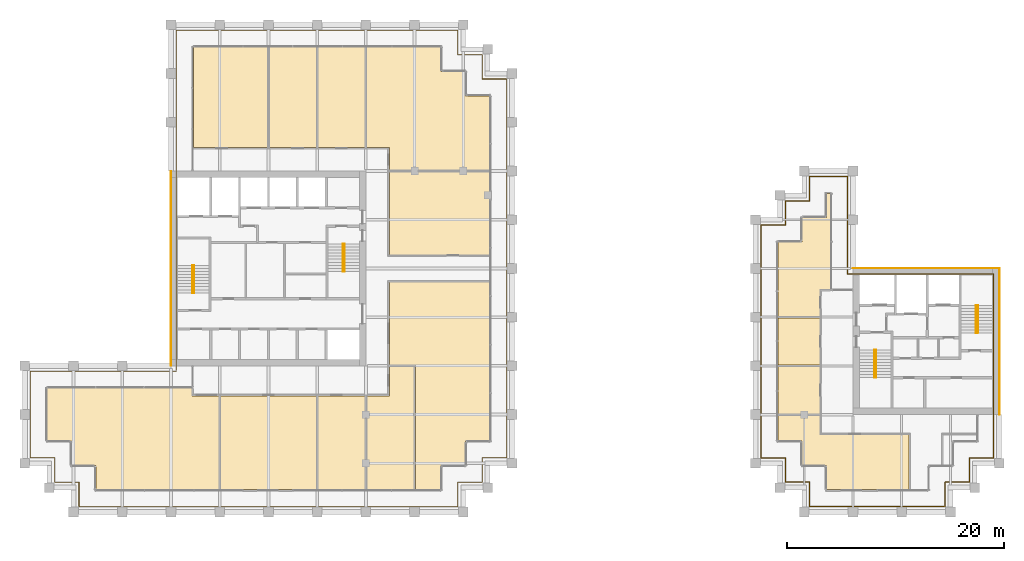
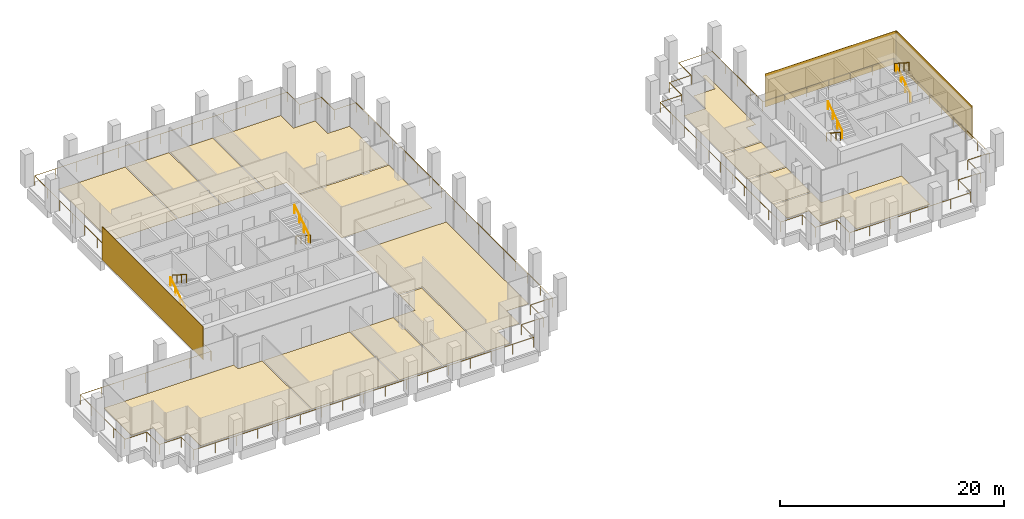
# One storey, part 40 of 40: 17 coverings, 10 railings.
"""IFC4 building model written with IfcOpenShell, lengths in metres."""

from ifc_helpers import new_model, si_unit, direction, frame, origin, origin_2d, place, context, subcontext, project, spatial, polyline, rectangle, circle, outline, extrude, source, transform, mapped, material, layer, layer_set, type_object, element, save


model = new_model("IFC4")

# Units and contexts
model_context = context("Model", 3, precision=1e-05, world=origin(), true_north=direction((0.0, 1.0)))
body_context = subcontext(model_context, "Body", "Model", "MODEL_VIEW")
ifc_project = project(units=[si_unit("LENGTHUNIT", "METRE"), si_unit("AREAUNIT", "SQUARE_METRE"), si_unit("VOLUMEUNIT", "CUBIC_METRE"), si_unit("PLANEANGLEUNIT", "RADIAN"), si_unit("MASSUNIT", "GRAM", prefix="KILO")], contexts=[model_context])

# Site, building, storey
site_placement = place(None, origin())
site = spatial("IfcSite", under=ifc_project, at=site_placement, CompositionType="ELEMENT")
building_placement = place(site_placement, origin())
building = spatial("IfcBuilding", under=site, at=building_placement, Name="Altepetl Exchange Towers", CompositionType="ELEMENT")
storey_placement = place(building_placement, frame((0.0, 0.0, 165.39990234375)))
storey = spatial("IfcBuildingStorey", under=building, at=storey_placement, Name="L41", CompositionType="ELEMENT", Elevation=165.39990234375)

# Coverings
ifc_material_1 = material(Name="Carpet tile")
ifc_layer_1 = layer(ifc_material_1, 0.02001953125)
ifc_layer_set_1 = layer_set([ifc_layer_1], Name="Carpet tile")
covering_type_1 = type_object("IfcCoveringType", Name="Carpet tile floor", PredefinedType="FLOORING", material=ifc_layer_set_1)
covering_1_placement = place(storey_placement, origin())
element("IfcCovering", 1, at=covering_1_placement, inside=storey, type_object=covering_type_1, Name="Meeting room floor finish A41.01", PredefinedType="FLOORING", context=body_context, shape_type="SweptSolid", body=[
    extrude(outline(polyline([(53.9375, 29.0625), (53.9375, 37.737548828125), (45.0625, 37.737548828125), (45.0625, 29.0625), (53.9375, 29.0625)])), origin(), (0.0, 0.0, 1.0), 0.02001953125),
])
covering_2_placement = place(storey_placement, origin())
element("IfcCovering", 2, at=covering_2_placement, inside=storey, type_object=covering_type_1, Name="Pantry floor finish A41.02", PredefinedType="FLOORING", context=body_context, shape_type="SweptSolid", body=[
    extrude(outline(polyline([(58.4375, 29.0625), (58.4375, 37.737548828125), (54.0625, 37.737548828125), (54.0625, 29.0625), (58.4375, 29.0625)])), origin(), (0.0, 0.0, 1.0), 0.02001953125),
])
covering_3_placement = place(storey_placement, origin())
element("IfcCovering", 3, at=covering_3_placement, inside=storey, type_object=covering_type_1, Name="Interview room floor finish A41.04", PredefinedType="FLOORING", context=body_context, shape_type="SweptSolid", body=[
    extrude(outline(polyline([(62.9375, 29.0625), (62.9375, 40.4375), (60.66259765625, 40.4375), (60.66259765625, 37.737548828125), (58.5625, 37.737548828125), (58.5625, 29.0625), (62.9375, 29.0625)])), origin(), (0.0, 0.0, 1.0), 0.02001953125),
])
covering_4_placement = place(storey_placement, origin())
element("IfcCovering", 4, at=covering_4_placement, inside=storey, type_object=covering_type_1, Name="Fund office floor finish A41.05", PredefinedType="FLOORING", context=body_context, shape_type="SweptSolid", body=[
    extrude(outline(polyline([(67.6875, 31.3125), (67.6875, 33.5625), (69.9375, 33.5625), (69.9375, 48.237548828125), (60.66259765625, 48.237548828125), (60.66259765625, 40.5625), (63.0625, 40.5625), (63.0625, 29.0625), (65.4375, 29.0625), (65.4375, 31.3125), (67.6875, 31.3125)])), origin(), (0.0, 0.0, 1.0), 0.02001953125),
])
covering_5_placement = place(storey_placement, origin())
element("IfcCovering", 5, at=covering_5_placement, inside=storey, type_object=covering_type_1, Name="Training room floor finish A41.06", PredefinedType="FLOORING", context=body_context, shape_type="SweptSolid", body=[
    extrude(outline(polyline([(69.9375, 58.4375), (60.66259765625, 58.4375), (60.66259765625, 50.762451171875), (69.9375, 50.762451171875), (69.9375, 58.4375)])), origin(), (0.0, 0.0, 1.0), 0.02001953125),
])
covering_6_placement = place(storey_placement, origin())
element("IfcCovering", 6, at=covering_6_placement, inside=storey, type_object=covering_type_1, Name="Open office floor finish A41.07", PredefinedType="FLOORING", context=body_context, shape_type="SweptSolid", body=[
    extrude(outline(polyline([(60.66259765625, 58.5625), (69.9375, 58.5625), (69.9375, 65.4375), (67.6875, 65.4375), (67.6875, 67.6875), (65.4375, 67.6875), (65.4375, 69.9375), (58.5625, 69.9375), (58.5625, 60.66259765625), (60.66259765625, 60.66259765625), (60.66259765625, 58.5625)])), origin(), (0.0, 0.0, 1.0), 0.02001953125),
])
covering_7_placement = place(storey_placement, origin())
element("IfcCovering", 7, at=covering_7_placement, inside=storey, type_object=covering_type_1, Name="Huddle room floor finish A41.08", PredefinedType="FLOORING", context=body_context, shape_type="SweptSolid", body=[
    extrude(outline(polyline([(49.4375, 60.66259765625), (49.4375, 69.9375), (42.5625, 69.9375), (42.5625, 60.66259765625), (49.4375, 60.66259765625)])), origin(), (0.0, 0.0, 1.0), 0.02001953125),
])
covering_8_placement = place(storey_placement, origin())
element("IfcCovering", 8, at=covering_8_placement, inside=storey, type_object=covering_type_1, Name="Conference room floor finish A41.09", PredefinedType="FLOORING", context=body_context, shape_type="SweptSolid", body=[
    extrude(outline(polyline([(53.9375, 60.66259765625), (53.9375, 69.9375), (49.5625, 69.9375), (49.5625, 60.66259765625), (53.9375, 60.66259765625)])), origin(), (0.0, 0.0, 1.0), 0.02001953125),
])
covering_9_placement = place(storey_placement, origin())
element("IfcCovering", 9, at=covering_9_placement, inside=storey, type_object=covering_type_1, Name="Meeting room floor finish A41.10", PredefinedType="FLOORING", context=body_context, shape_type="SweptSolid", body=[
    extrude(outline(polyline([(58.4375, 60.66259765625), (58.4375, 69.9375), (54.0625, 69.9375), (54.0625, 60.66259765625), (58.4375, 60.66259765625)])), origin(), (0.0, 0.0, 1.0), 0.02001953125),
])
covering_10_placement = place(storey_placement, origin())
element("IfcCovering", 10, at=covering_10_placement, inside=storey, type_object=covering_type_1, Name="Pantry floor finish B41.01", PredefinedType="FLOORING", context=body_context, shape_type="SweptSolid", body=[
    extrude(outline(polyline([(100.4375, 40.4375), (96.5625, 40.4375), (96.5625, 36.0625), (100.4375, 36.0625), (100.4375, 40.4375)])), origin(), (0.0, 0.0, 1.0), 0.02001953125),
])
covering_11_placement = place(storey_placement, origin())
element("IfcCovering", 11, at=covering_11_placement, inside=storey, type_object=covering_type_1, Name="Open office floor finish B41.02", PredefinedType="FLOORING", context=body_context, shape_type="SweptSolid", body=[
    extrude(outline(polyline([(108.6875, 29.0625), (108.6875, 34.137451171875), (100.4375, 34.137451171875), (100.4375, 35.9375), (96.5625, 35.9375), (96.5625, 33.5625), (98.8125, 33.5625), (98.8125, 31.3125), (101.0625, 31.3125), (101.0625, 29.0625), (108.6875, 29.0625)])), origin(), (0.0, 0.0, 1.0), 0.02001953125),
])
covering_12_placement = place(storey_placement, origin())
element("IfcCovering", 12, at=covering_12_placement, inside=storey, type_object=covering_type_1, Name="Meeting room floor finish B41.03", PredefinedType="FLOORING", context=body_context, shape_type="SweptSolid", body=[
    extrude(outline(polyline([(101.4375, 47.5625), (101.4375, 56.4375), (101.0625, 56.4375), (101.0625, 54.1875), (98.8125, 54.1875), (98.8125, 51.9375), (96.5625, 51.9375), (96.5625, 45.0625), (100.4375, 45.0625), (100.4375, 47.5625), (101.4375, 47.5625)])), origin(), (0.0, 0.0, 1.0), 0.02001953125),
])
covering_13_placement = place(storey_placement, origin())
element("IfcCovering", 13, at=covering_13_placement, inside=storey, type_object=covering_type_1, Name="Pantry floor finish B41.04", PredefinedType="FLOORING", context=body_context, shape_type="SweptSolid", body=[
    extrude(outline(polyline([(100.4375, 44.9375), (96.5625, 44.9375), (96.5625, 40.5625), (100.4375, 40.5625), (100.4375, 44.9375)])), origin(), (0.0, 0.0, 1.0), 0.02001953125),
])
ifc_material_2 = material(Name="Cantera stone", Category="masonry")
ifc_layer_2 = layer(ifc_material_2, 0.030029296875)
ifc_layer_set_2 = layer_set([ifc_layer_2], Name="Cantera stone")
covering_type_2 = type_object("IfcCoveringType", Name="Polished stone floor", PredefinedType="FLOORING", material=ifc_layer_set_2)
covering_14_placement = place(storey_placement, origin())
element("IfcCovering", 14, at=covering_14_placement, inside=storey, type_object=covering_type_2, Name="Auditorium floor finish A41.03", PredefinedType="FLOORING", context=body_context, shape_type="SweptSolid", body=[
    extrude(outline(polyline([(33.5625, 29.0625), (44.9375, 29.0625), (44.9375, 37.737548828125), (42.4375, 37.737548828125), (42.4375, 38.4375), (29.0625, 38.4375), (29.0625, 33.5625), (31.3125, 33.5625), (31.3125, 31.3125), (33.5625, 31.3125), (33.5625, 29.0625)])), origin(), (0.0, 0.0, 1.0), 0.030029296875),
])
ifc_material_3 = material(Name="Cantera limestone cladding", Category="masonry")
ifc_layer_3 = layer(ifc_material_3, 0.0400390625)
ifc_layer_set_3 = layer_set([ifc_layer_3], Name="Cantera limestone cladding")
covering_type_3 = type_object("IfcCoveringType", Name="Stone panel 40 cantera", PredefinedType="CLADDING", material=ifc_layer_set_3)
covering_15_placement = place(storey_placement, frame((40.47998046875, 49.5, 0.0), z_axis=(0.0, 0.0, 1.0), x_axis=(0.0, -1.0, 0.0)))
element("IfcCovering", 15, at=covering_15_placement, inside=storey, type_object=covering_type_3, Name="Stone cladding panel", PredefinedType="CLADDING", context=body_context, shape_type="SweptSolid", body=[
    extrude(rectangle(XDim=18.0, YDim=0.0400390625, at=origin_2d()), origin(), (0.0, 0.0, 1.0), 3.60009765625),
])
for number, where, z_axis, x_axis, name in (
    (16, (117.02001953125, 42.75, 0.0), (0.0, 0.0, 1.0), (0.0, 1.0, 0.0), "Stone cladding panel"),
    (17, (110.25, 49.52001953125, 0.0), (0.0, 0.0, 1.0), (-1.0, 0.0, 0.0), "Stone cladding panel"),
):
    element("IfcCovering", number, at=place(storey_placement, frame(where, z_axis=z_axis, x_axis=x_axis)), inside=storey, type_object=covering_type_3, Name=name, PredefinedType="CLADDING", context=body_context, shape_type="SweptSolid", body=[
        extrude(rectangle(XDim=13.5, YDim=0.0400390625, at=origin_2d()), origin(), (0.0, 0.0, 1.0), 3.60009765625),
    ])

# Railings
ifc_material_4 = material(Name="Steel S355", Category="steel")
railing_type_1 = type_object("IfcRailingType", Name="Guard 1100 steel posts and rail", PredefinedType="GUARDRAIL", material=ifc_material_4)
shared_shape_1 = source(origin(), body_context, "Body", "SweptSolid", [
    extrude(circle(Radius=0.02099609375, at=origin_2d()), origin(), (0.0, 0.0, 1.0), 1.052001953125),
])
railing_1_placement = place(storey_placement, frame((41.0, 40.0, 0.0)))
element("IfcRailing", 18, at=railing_1_placement, inside=storey, type_object=railing_type_1, Name="Loggia guard", PredefinedType="GUARDRAIL", context=body_context, shape_type="SweptSolid", body=[
    extrude(circle(Radius=0.02392578125, at=origin_2d()), frame((0.0, 0.0, 1.076171875), z_axis=(-1.0, 0.0, 0.0), x_axis=(0.0, -1.0, 0.0)), (0.0, 0.0, 1.0), 13.5),
    extrude(circle(Radius=0.02392578125, at=origin_2d()), frame((-13.5, 0.0, 1.076171875), z_axis=(0.0, -1.0, 0.0), x_axis=(1.0, 0.0, 0.0)), (0.0, 0.0, 1.0), 8.0),
    extrude(circle(Radius=0.02392578125, at=origin_2d()), frame((-13.5, -8.0, 1.076171875), z_axis=(1.0, 0.0, 0.0), x_axis=(0.0, 1.0, 0.0)), (0.0, 0.0, 1.0), 2.25),
    extrude(circle(Radius=0.02392578125, at=origin_2d()), frame((-11.25, -8.0, 1.076171875), z_axis=(0.0, -1.0, 0.0), x_axis=(1.0, 0.0, 0.0)), (0.0, 0.0, 1.0), 2.25),
    extrude(circle(Radius=0.02392578125, at=origin_2d()), frame((-11.25, -10.25, 1.076171875), z_axis=(1.0, 0.0, 0.0), x_axis=(0.0, 1.0, 0.0)), (0.0, 0.0, 1.0), 2.25),
    extrude(circle(Radius=0.02392578125, at=origin_2d()), frame((-9.0, -10.25, 1.076171875), z_axis=(0.0, -1.0, 0.0), x_axis=(1.0, 0.0, 0.0)), (0.0, 0.0, 1.0), 2.25),
    extrude(circle(Radius=0.02392578125, at=origin_2d()), frame((-9.0, -12.5, 1.076171875), z_axis=(1.0, 0.0, 0.0), x_axis=(0.0, 1.0, 0.0)), (0.0, 0.0, 1.0), 35.0),
    extrude(circle(Radius=0.02392578125, at=origin_2d()), frame((26.0, -12.5, 1.076171875), z_axis=(0.0, 1.0, 0.0), x_axis=(-1.0, 0.0, 0.0)), (0.0, 0.0, 1.0), 2.25),
    extrude(circle(Radius=0.02392578125, at=origin_2d()), frame((26.0, -10.25, 1.076171875), z_axis=(1.0, 0.0, 0.0), x_axis=(0.0, 1.0, 0.0)), (0.0, 0.0, 1.0), 2.25),
    extrude(circle(Radius=0.02392578125, at=origin_2d()), frame((28.25, -10.25, 1.076171875), z_axis=(0.0, 1.0, 0.0), x_axis=(-1.0, 0.0, 0.0)), (0.0, 0.0, 1.0), 2.25),
    extrude(circle(Radius=0.02392578125, at=origin_2d()), frame((28.25, -8.0, 1.076171875), z_axis=(1.0, 0.0, 0.0), x_axis=(0.0, 1.0, 0.0)), (0.0, 0.0, 1.0), 2.25),
    extrude(circle(Radius=0.02392578125, at=origin_2d()), frame((30.5, -8.0, 1.076171875), z_axis=(0.0, 1.0, 0.0), x_axis=(-1.0, 0.0, 0.0)), (0.0, 0.0, 1.0), 35.0),
    extrude(circle(Radius=0.02392578125, at=origin_2d()), frame((30.5, 27.0, 1.076171875), z_axis=(-1.0, 0.0, 0.0), x_axis=(0.0, -1.0, 0.0)), (0.0, 0.0, 1.0), 2.25),
    extrude(circle(Radius=0.02392578125, at=origin_2d()), frame((28.25, 27.0, 1.076171875), z_axis=(0.0, 1.0, 0.0), x_axis=(-1.0, 0.0, 0.0)), (0.0, 0.0, 1.0), 2.25),
    extrude(circle(Radius=0.02392578125, at=origin_2d()), frame((28.25, 29.25, 1.076171875), z_axis=(-1.0, 0.0, 0.0), x_axis=(0.0, -1.0, 0.0)), (0.0, 0.0, 1.0), 2.25),
    extrude(circle(Radius=0.02392578125, at=origin_2d()), frame((26.0, 29.25, 1.076171875), z_axis=(0.0, 1.0, 0.0), x_axis=(-1.0, 0.0, 0.0)), (0.0, 0.0, 1.0), 2.25),
    extrude(circle(Radius=0.02392578125, at=origin_2d()), frame((26.0, 31.5, 1.076171875), z_axis=(-1.0, 0.0, 0.0), x_axis=(0.0, -1.0, 0.0)), (0.0, 0.0, 1.0), 26.0),
    extrude(circle(Radius=0.02392578125, at=origin_2d()), frame((0.0, 31.5, 1.076171875), z_axis=(0.0, -1.0, 0.0), x_axis=(1.0, 0.0, 0.0)), (0.0, 0.0, 1.0), 31.39990234375),
    mapped(shared_shape_1, transform((0.0, 0.0, 0.0))),
    mapped(shared_shape_1, transform((-2.25, 0.0, 0.0))),
    mapped(shared_shape_1, transform((-4.5, 0.0, 0.0))),
    mapped(shared_shape_1, transform((-6.75, 0.0, 0.0))),
    mapped(shared_shape_1, transform((-9.0, 0.0, 0.0))),
    mapped(shared_shape_1, transform((-11.25, 0.0, 0.0))),
    mapped(shared_shape_1, transform((-13.5, 0.0, 0.0))),
    mapped(shared_shape_1, transform((-13.5, -2.0, 0.0))),
    mapped(shared_shape_1, transform((-13.5, -4.0, 0.0))),
    mapped(shared_shape_1, transform((-13.5, -6.0, 0.0))),
    mapped(shared_shape_1, transform((-13.5, -8.0, 0.0))),
    mapped(shared_shape_1, transform((-11.25, -8.0, 0.0))),
    mapped(shared_shape_1, transform((-11.25, -10.25, 0.0))),
    mapped(shared_shape_1, transform((-9.0, -10.25, 0.0))),
    mapped(shared_shape_1, transform((-9.0, -12.5, 0.0))),
    mapped(shared_shape_1, transform((-6.8125, -12.5, 0.0))),
    mapped(shared_shape_1, transform((-4.625, -12.5, 0.0))),
    mapped(shared_shape_1, transform((-2.4375, -12.5, 0.0))),
    mapped(shared_shape_1, transform((-0.25, -12.5, 0.0))),
    mapped(shared_shape_1, transform((1.9375, -12.5, 0.0))),
    mapped(shared_shape_1, transform((4.125, -12.5, 0.0))),
    mapped(shared_shape_1, transform((6.3125, -12.5, 0.0))),
    mapped(shared_shape_1, transform((8.5, -12.5, 0.0))),
    mapped(shared_shape_1, transform((10.6875, -12.5, 0.0))),
    mapped(shared_shape_1, transform((12.875, -12.5, 0.0))),
    mapped(shared_shape_1, transform((15.0625, -12.5, 0.0))),
    mapped(shared_shape_1, transform((17.25, -12.5, 0.0))),
    mapped(shared_shape_1, transform((19.4375, -12.5, 0.0))),
    mapped(shared_shape_1, transform((21.625, -12.5, 0.0))),
    mapped(shared_shape_1, transform((23.8125, -12.5, 0.0))),
    mapped(shared_shape_1, transform((26.0, -12.5, 0.0))),
    mapped(shared_shape_1, transform((26.0, -10.25, 0.0))),
    mapped(shared_shape_1, transform((28.25, -10.25, 0.0))),
    mapped(shared_shape_1, transform((28.25, -8.0, 0.0))),
    mapped(shared_shape_1, transform((30.5, -8.0, 0.0))),
    mapped(shared_shape_1, transform((30.5, -5.8125, 0.0))),
    mapped(shared_shape_1, transform((30.5, -3.625, 0.0))),
    mapped(shared_shape_1, transform((30.5, -1.4375, 0.0))),
    mapped(shared_shape_1, transform((30.5, 0.75, 0.0))),
    mapped(shared_shape_1, transform((30.5, 2.9375, 0.0))),
    mapped(shared_shape_1, transform((30.5, 5.125, 0.0))),
    mapped(shared_shape_1, transform((30.5, 7.3125, 0.0))),
    mapped(shared_shape_1, transform((30.5, 9.5, 0.0))),
    mapped(shared_shape_1, transform((30.5, 11.6875, 0.0))),
    mapped(shared_shape_1, transform((30.5, 13.875, 0.0))),
    mapped(shared_shape_1, transform((30.5, 16.0625, 0.0))),
    mapped(shared_shape_1, transform((30.5, 18.25, 0.0))),
    mapped(shared_shape_1, transform((30.5, 20.4375, 0.0))),
    mapped(shared_shape_1, transform((30.5, 22.625, 0.0))),
    mapped(shared_shape_1, transform((30.5, 24.8125, 0.0))),
    mapped(shared_shape_1, transform((30.5, 27.0, 0.0))),
    mapped(shared_shape_1, transform((28.25, 27.0, 0.0))),
    mapped(shared_shape_1, transform((28.25, 29.25, 0.0))),
    mapped(shared_shape_1, transform((26.0, 29.25, 0.0))),
    mapped(shared_shape_1, transform((26.0, 31.5, 0.0))),
    mapped(shared_shape_1, transform((23.833251953125, 31.5, 0.0))),
    mapped(shared_shape_1, transform((21.666748046875, 31.5, 0.0))),
    mapped(shared_shape_1, transform((19.5, 31.5, 0.0))),
    mapped(shared_shape_1, transform((17.333251953125, 31.5, 0.0))),
    mapped(shared_shape_1, transform((15.166748046875, 31.5, 0.0))),
    mapped(shared_shape_1, transform((13.0, 31.5, 0.0))),
    mapped(shared_shape_1, transform((10.833251953125, 31.5, 0.0))),
    mapped(shared_shape_1, transform((8.666748046875, 31.5, 0.0))),
    mapped(shared_shape_1, transform((6.5, 31.5, 0.0))),
    mapped(shared_shape_1, transform((4.333251953125, 31.5, 0.0))),
    mapped(shared_shape_1, transform((2.166748046875, 31.5, 0.0))),
    mapped(shared_shape_1, transform((0.0, 31.5, 0.0))),
    mapped(shared_shape_1, transform((0.0, 29.257080078125, 0.0))),
    mapped(shared_shape_1, transform((0.0, 27.014404296875, 0.0))),
    mapped(shared_shape_1, transform((0.0, 24.771484375, 0.0))),
    mapped(shared_shape_1, transform((0.0, 22.528564453125, 0.0))),
    mapped(shared_shape_1, transform((0.0, 20.28564453125, 0.0))),
    mapped(shared_shape_1, transform((0.0, 18.04296875, 0.0))),
    mapped(shared_shape_1, transform((0.0, 15.800048828125, 0.0))),
    mapped(shared_shape_1, transform((0.0, 13.55712890625, 0.0))),
    mapped(shared_shape_1, transform((0.0, 11.314453125, 0.0))),
    mapped(shared_shape_1, transform((0.0, 9.071533203125, 0.0))),
    mapped(shared_shape_1, transform((0.0, 6.82861328125, 0.0))),
    mapped(shared_shape_1, transform((0.0, 4.585693359375, 0.0))),
    mapped(shared_shape_1, transform((0.0, 2.343017578125, 0.0))),
    mapped(shared_shape_1, transform((0.0, 0.10009765625, 0.0))),
])
railing_2_placement = place(storey_placement, frame((99.5, 27.5, 0.0)))
element("IfcRailing", 19, at=railing_2_placement, inside=storey, type_object=railing_type_1, Name="Loggia guard", PredefinedType="GUARDRAIL", context=body_context, shape_type="SweptSolid", body=[
    extrude(circle(Radius=0.02392578125, at=origin_2d()), frame((0.0, 0.0, 1.076171875), z_axis=(1.0, 0.0, 0.0), x_axis=(0.0, 1.0, 0.0)), (0.0, 0.0, 1.0), 12.5),
    extrude(circle(Radius=0.02392578125, at=origin_2d()), frame((12.5, 0.0, 1.076171875), z_axis=(0.0, 1.0, 0.0), x_axis=(-1.0, 0.0, 0.0)), (0.0, 0.0, 1.0), 2.25),
    extrude(circle(Radius=0.02392578125, at=origin_2d()), frame((12.5, 2.25, 1.076171875), z_axis=(1.0, 0.0, 0.0), x_axis=(0.0, 1.0, 0.0)), (0.0, 0.0, 1.0), 2.25),
    extrude(circle(Radius=0.02392578125, at=origin_2d()), frame((14.75, 2.25, 1.076171875), z_axis=(0.0, 1.0, 0.0), x_axis=(-1.0, 0.0, 0.0)), (0.0, 0.0, 1.0), 2.25),
    extrude(circle(Radius=0.02392578125, at=origin_2d()), frame((14.75, 4.5, 1.076171875), z_axis=(1.0, 0.0, 0.0), x_axis=(0.0, 1.0, 0.0)), (0.0, 0.0, 1.0), 2.25),
    extrude(circle(Radius=0.02392578125, at=origin_2d()), frame((17.0, 4.5, 1.076171875), z_axis=(0.0, 1.0, 0.0), x_axis=(-1.0, 0.0, 0.0)), (0.0, 0.0, 1.0), 17.0),
    extrude(circle(Radius=0.02392578125, at=origin_2d()), frame((17.0, 21.5, 1.076171875), z_axis=(-1.0, 0.0, 0.0), x_axis=(0.0, -1.0, 0.0)), (0.0, 0.0, 1.0), 13.5),
    extrude(circle(Radius=0.02392578125, at=origin_2d()), frame((3.5, 21.5, 1.076171875), z_axis=(0.0, 1.0, 0.0), x_axis=(-1.0, 0.0, 0.0)), (0.0, 0.0, 1.0), 9.0),
    extrude(circle(Radius=0.02392578125, at=origin_2d()), frame((3.5, 30.5, 1.076171875), z_axis=(-1.0, 0.0, 0.0), x_axis=(0.0, -1.0, 0.0)), (0.0, 0.0, 1.0), 3.5),
    extrude(circle(Radius=0.02392578125, at=origin_2d()), frame((0.0, 30.5, 1.076171875), z_axis=(0.0, -1.0, 0.0), x_axis=(1.0, 0.0, 0.0)), (0.0, 0.0, 1.0), 2.25),
    extrude(circle(Radius=0.02392578125, at=origin_2d()), frame((0.0, 28.25, 1.076171875), z_axis=(-1.0, 0.0, 0.0), x_axis=(0.0, -1.0, 0.0)), (0.0, 0.0, 1.0), 2.25),
    extrude(circle(Radius=0.02392578125, at=origin_2d()), frame((-2.25, 28.25, 1.076171875), z_axis=(0.0, -1.0, 0.0), x_axis=(1.0, 0.0, 0.0)), (0.0, 0.0, 1.0), 2.25),
    extrude(circle(Radius=0.02392578125, at=origin_2d()), frame((-2.25, 26.0, 1.076171875), z_axis=(-1.0, 0.0, 0.0), x_axis=(0.0, -1.0, 0.0)), (0.0, 0.0, 1.0), 2.25),
    extrude(circle(Radius=0.02392578125, at=origin_2d()), frame((-4.5, 26.0, 1.076171875), z_axis=(0.0, -1.0, 0.0), x_axis=(1.0, 0.0, 0.0)), (0.0, 0.0, 1.0), 21.5),
    extrude(circle(Radius=0.02392578125, at=origin_2d()), frame((-4.5, 4.5, 1.076171875), z_axis=(1.0, 0.0, 0.0), x_axis=(0.0, 1.0, 0.0)), (0.0, 0.0, 1.0), 2.25),
    extrude(circle(Radius=0.02392578125, at=origin_2d()), frame((-2.25, 4.5, 1.076171875), z_axis=(0.0, -1.0, 0.0), x_axis=(1.0, 0.0, 0.0)), (0.0, 0.0, 1.0), 2.25),
    extrude(circle(Radius=0.02392578125, at=origin_2d()), frame((-2.25, 2.25, 1.076171875), z_axis=(1.0, 0.0, 0.0), x_axis=(0.0, 1.0, 0.0)), (0.0, 0.0, 1.0), 2.25),
    extrude(circle(Radius=0.02392578125, at=origin_2d()), frame((0.0, 2.25, 1.076171875), z_axis=(0.0, -1.0, 0.0), x_axis=(1.0, 0.0, 0.0)), (0.0, 0.0, 1.0), 2.14990234375),
    mapped(shared_shape_1, transform((0.0, 0.0, 0.0))),
    mapped(shared_shape_1, transform((2.083251953125, 0.0, 0.0))),
    mapped(shared_shape_1, transform((4.166748046875, 0.0, 0.0))),
    mapped(shared_shape_1, transform((6.25, 0.0, 0.0))),
    mapped(shared_shape_1, transform((8.333251953125, 0.0, 0.0))),
    mapped(shared_shape_1, transform((10.416748046875, 0.0, 0.0))),
    mapped(shared_shape_1, transform((12.5, 0.0, 0.0))),
    mapped(shared_shape_1, transform((12.5, 2.25, 0.0))),
    mapped(shared_shape_1, transform((14.75, 2.25, 0.0))),
    mapped(shared_shape_1, transform((14.75, 4.5, 0.0))),
    mapped(shared_shape_1, transform((17.0, 4.5, 0.0))),
    mapped(shared_shape_1, transform((17.0, 6.625, 0.0))),
    mapped(shared_shape_1, transform((17.0, 8.75, 0.0))),
    mapped(shared_shape_1, transform((17.0, 10.875, 0.0))),
    mapped(shared_shape_1, transform((17.0, 13.0, 0.0))),
    mapped(shared_shape_1, transform((17.0, 15.125, 0.0))),
    mapped(shared_shape_1, transform((17.0, 17.25, 0.0))),
    mapped(shared_shape_1, transform((17.0, 19.375, 0.0))),
    mapped(shared_shape_1, transform((17.0, 21.5, 0.0))),
    mapped(shared_shape_1, transform((14.75, 21.5, 0.0))),
    mapped(shared_shape_1, transform((12.5, 21.5, 0.0))),
    mapped(shared_shape_1, transform((10.25, 21.5, 0.0))),
    mapped(shared_shape_1, transform((8.0, 21.5, 0.0))),
    mapped(shared_shape_1, transform((5.75, 21.5, 0.0))),
    mapped(shared_shape_1, transform((3.5, 21.5, 0.0))),
    mapped(shared_shape_1, transform((3.5, 23.75, 0.0))),
    mapped(shared_shape_1, transform((3.5, 26.0, 0.0))),
    mapped(shared_shape_1, transform((3.5, 28.25, 0.0))),
    mapped(shared_shape_1, transform((3.5, 30.5, 0.0))),
    mapped(shared_shape_1, transform((1.75, 30.5, 0.0))),
    mapped(shared_shape_1, transform((0.0, 30.5, 0.0))),
    mapped(shared_shape_1, transform((0.0, 28.25, 0.0))),
    mapped(shared_shape_1, transform((-2.25, 28.25, 0.0))),
    mapped(shared_shape_1, transform((-2.25, 26.0, 0.0))),
    mapped(shared_shape_1, transform((-4.5, 26.0, 0.0))),
    mapped(shared_shape_1, transform((-4.5, 23.85009765625, 0.0))),
    mapped(shared_shape_1, transform((-4.5, 21.699951171875, 0.0))),
    mapped(shared_shape_1, transform((-4.5, 19.550048828125, 0.0))),
    mapped(shared_shape_1, transform((-4.5, 17.39990234375, 0.0))),
    mapped(shared_shape_1, transform((-4.5, 15.25, 0.0))),
    mapped(shared_shape_1, transform((-4.5, 13.10009765625, 0.0))),
    mapped(shared_shape_1, transform((-4.5, 10.949951171875, 0.0))),
    mapped(shared_shape_1, transform((-4.5, 8.800048828125, 0.0))),
    mapped(shared_shape_1, transform((-4.5, 6.64990234375, 0.0))),
    mapped(shared_shape_1, transform((-4.5, 4.5, 0.0))),
    mapped(shared_shape_1, transform((-2.25, 4.5, 0.0))),
    mapped(shared_shape_1, transform((-2.25, 2.25, 0.0))),
    mapped(shared_shape_1, transform((0.0, 2.25, 0.0))),
    mapped(shared_shape_1, transform((0.0, 0.10009765625, 0.0))),
])
ifc_material_5 = material(Name="Steel", Category="steel")
railing_type_2 = type_object("IfcRailingType", Name="Stair handrail 50 steel tube", PredefinedType="HANDRAIL", material=ifc_material_5)
shared_shape_2 = source(origin(), body_context, "Body", "SweptSolid", [
    extrude(circle(Radius=0.02099609375, at=origin_2d()), origin(), (0.0, 0.0, 1.0), 0.851806640625),
])
railing_3_placement = place(storey_placement, frame((42.469970703125, 47.25, 0.18017578125)))
element("IfcRailing", 20, at=railing_3_placement, inside=storey, type_object=railing_type_2, Name="Stair handrail", PredefinedType="HANDRAIL", context=body_context, shape_type="SweptSolid", body=[
    extrude(circle(Radius=0.02392578125, at=origin_2d()), frame((0.0, 0.0, 0.8759765625), z_axis=(0.0, 0.841199657755, 0.540724639528), x_axis=(-1.0, 0.0, 0.0)), (0.0, 0.0, 1.0), 2.995849609375),
    mapped(shared_shape_2, transform((0.0, 0.0, 0.0))),
    mapped(shared_shape_2, transform((0.0, 0.840087890625, 0.5400390625))),
    mapped(shared_shape_2, transform((0.0, 1.679931640625, 1.079833984375))),
    mapped(shared_shape_2, transform((0.0, 2.52001953125, 1.619873046875))),
])
railing_4_placement = place(storey_placement, frame((42.6298828125, 49.77001953125, 1.97998046875)))
element("IfcRailing", 21, at=railing_4_placement, inside=storey, type_object=railing_type_2, Name="Stair handrail", PredefinedType="HANDRAIL", context=body_context, shape_type="SweptSolid", body=[
    extrude(circle(Radius=0.02392578125, at=origin_2d()), frame((0.0, 0.0, 0.8759765625), z_axis=(0.0, -0.841162588446, 0.540782303519), x_axis=(1.0, 0.0, 0.0)), (0.0, 0.0, 1.0), 2.995849609375),
    mapped(shared_shape_2, transform((0.0, 0.0, 0.0))),
    mapped(shared_shape_2, transform((0.0, -0.840087890625, 0.5400390625))),
    mapped(shared_shape_2, transform((0.0, -1.679931640625, 1.080078125))),
    mapped(shared_shape_2, transform((0.0, -2.52001953125, 1.6201171875))),
])
railing_5_placement = place(storey_placement, frame((56.530029296875, 51.75, 0.18017578125)))
element("IfcRailing", 22, at=railing_5_placement, inside=storey, type_object=railing_type_2, Name="Stair handrail", PredefinedType="HANDRAIL", context=body_context, shape_type="SweptSolid", body=[
    extrude(circle(Radius=0.02392578125, at=origin_2d()), frame((0.0, 0.0, 0.8759765625), z_axis=(0.0, -0.841199657755, 0.540724639528), x_axis=(1.0, 0.0, 0.0)), (0.0, 0.0, 1.0), 2.995849609375),
    mapped(shared_shape_2, transform((0.0, 0.0, 0.0))),
    mapped(shared_shape_2, transform((0.0, -0.840087890625, 0.5400390625))),
    mapped(shared_shape_2, transform((0.0, -1.679931640625, 1.079833984375))),
    mapped(shared_shape_2, transform((0.0, -2.52001953125, 1.619873046875))),
])
railing_6_placement = place(storey_placement, frame((56.3701171875, 49.22998046875, 1.97998046875)))
element("IfcRailing", 23, at=railing_6_placement, inside=storey, type_object=railing_type_2, Name="Stair handrail", PredefinedType="HANDRAIL", context=body_context, shape_type="SweptSolid", body=[
    extrude(circle(Radius=0.02392578125, at=origin_2d()), frame((0.0, 0.0, 0.8759765625), z_axis=(0.0, 0.841162588446, 0.540782303519), x_axis=(-1.0, 0.0, 0.0)), (0.0, 0.0, 1.0), 2.995849609375),
    mapped(shared_shape_2, transform((0.0, 0.0, 0.0))),
    mapped(shared_shape_2, transform((0.0, 0.840087890625, 0.5400390625))),
    mapped(shared_shape_2, transform((0.0, 1.679931640625, 1.080078125))),
    mapped(shared_shape_2, transform((0.0, 2.52001953125, 1.6201171875))),
])
railing_7_placement = place(storey_placement, frame((105.469970703125, 41.949951171875, 0.18017578125)))
element("IfcRailing", 24, at=railing_7_placement, inside=storey, type_object=railing_type_2, Name="Stair handrail", PredefinedType="HANDRAIL", context=body_context, shape_type="SweptSolid", body=[
    extrude(circle(Radius=0.02392578125, at=origin_2d()), frame((0.0, 0.0, 0.8759765625), z_axis=(0.0, -0.841199657755, 0.540724639528), x_axis=(1.0, 0.0, 0.0)), (0.0, 0.0, 1.0), 2.995849609375),
    mapped(shared_shape_2, transform((0.0, 0.0, 0.0))),
    mapped(shared_shape_2, transform((0.0, -0.840087890625, 0.5400390625))),
    mapped(shared_shape_2, transform((0.0, -1.679931640625, 1.079833984375))),
    mapped(shared_shape_2, transform((0.0, -2.52001953125, 1.619873046875))),
])
railing_8_placement = place(storey_placement, frame((105.6298828125, 39.429931640625, 1.97998046875)))
element("IfcRailing", 25, at=railing_8_placement, inside=storey, type_object=railing_type_2, Name="Stair handrail", PredefinedType="HANDRAIL", context=body_context, shape_type="SweptSolid", body=[
    extrude(circle(Radius=0.02392578125, at=origin_2d()), frame((0.0, 0.0, 0.8759765625), z_axis=(0.0, 0.841162588446, 0.540782303519), x_axis=(-1.0, 0.0, 0.0)), (0.0, 0.0, 1.0), 2.995849609375),
    mapped(shared_shape_2, transform((0.0, 0.0, 0.0))),
    mapped(shared_shape_2, transform((0.0, 0.840087890625, 0.5400390625))),
    mapped(shared_shape_2, transform((0.0, 1.679931640625, 1.080078125))),
    mapped(shared_shape_2, transform((0.0, 2.52001953125, 1.6201171875))),
])
railing_9_placement = place(storey_placement, frame((115.030029296875, 43.550048828125, 0.18017578125)))
element("IfcRailing", 26, at=railing_9_placement, inside=storey, type_object=railing_type_2, Name="Stair handrail", PredefinedType="HANDRAIL", context=body_context, shape_type="SweptSolid", body=[
    extrude(circle(Radius=0.02392578125, at=origin_2d()), frame((0.0, 0.0, 0.8759765625), z_axis=(0.0, 0.841199657755, 0.540724639528), x_axis=(-1.0, 0.0, 0.0)), (0.0, 0.0, 1.0), 2.995849609375),
    mapped(shared_shape_2, transform((0.0, 0.0, 0.0))),
    mapped(shared_shape_2, transform((0.0, 0.840087890625, 0.5400390625))),
    mapped(shared_shape_2, transform((0.0, 1.679931640625, 1.079833984375))),
    mapped(shared_shape_2, transform((0.0, 2.52001953125, 1.619873046875))),
])
railing_10_placement = place(storey_placement, frame((114.8701171875, 46.070068359375, 1.97998046875)))
element("IfcRailing", 27, at=railing_10_placement, inside=storey, type_object=railing_type_2, Name="Stair handrail", PredefinedType="HANDRAIL", context=body_context, shape_type="SweptSolid", body=[
    extrude(circle(Radius=0.02392578125, at=origin_2d()), frame((0.0, 0.0, 0.8759765625), z_axis=(0.0, -0.841162588446, 0.540782303519), x_axis=(1.0, 0.0, 0.0)), (0.0, 0.0, 1.0), 2.995849609375),
    mapped(shared_shape_2, transform((0.0, 0.0, 0.0))),
    mapped(shared_shape_2, transform((0.0, -0.840087890625, 0.5400390625))),
    mapped(shared_shape_2, transform((0.0, -1.679931640625, 1.080078125))),
    mapped(shared_shape_2, transform((0.0, -2.52001953125, 1.6201171875))),
])

save(model, "model.ifc")
